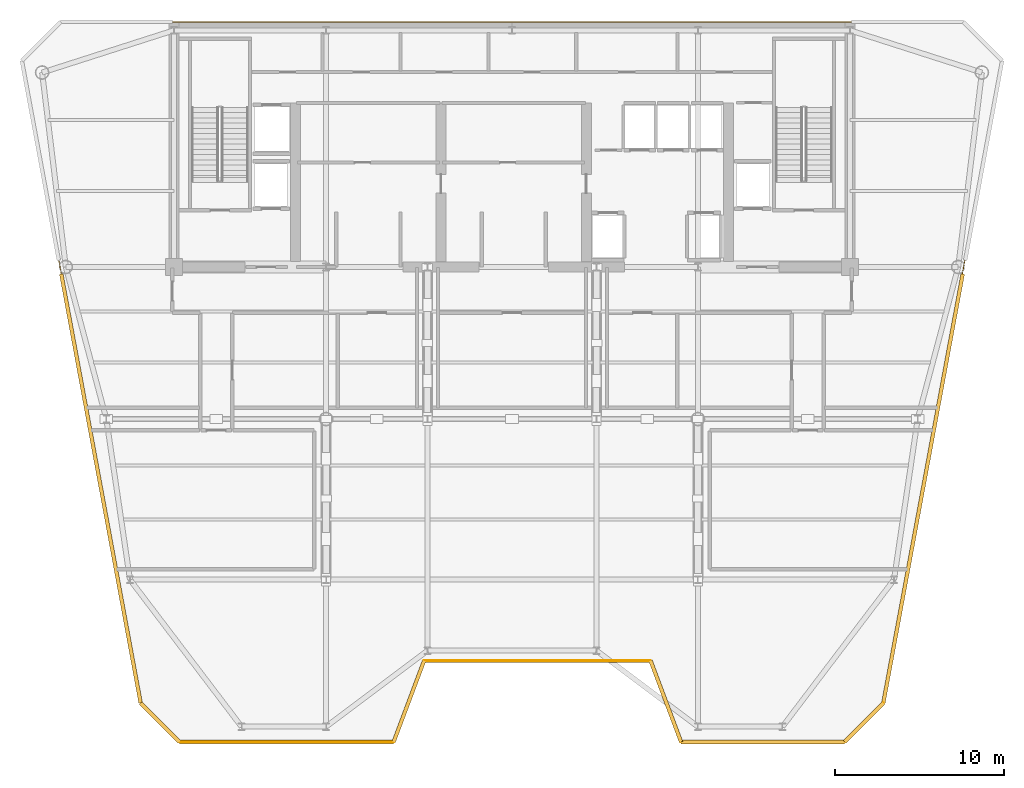
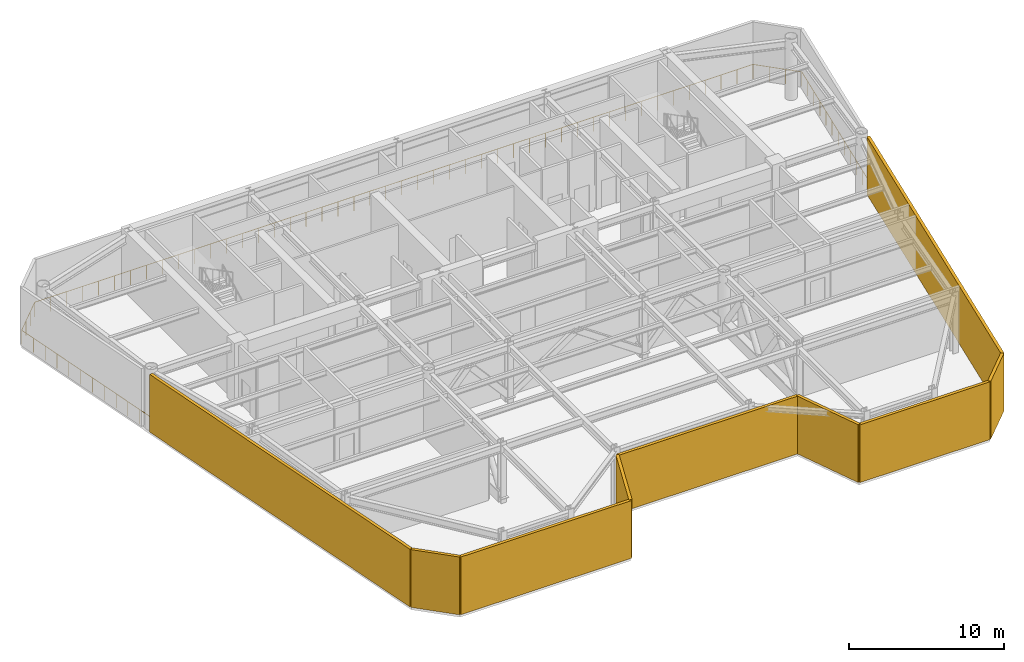
# One storey, part 7 of 9: 9 coverings, 2 railings.
"""IFC4 building model written with IfcOpenShell, lengths in metres."""

from ifc_helpers import new_model, si_unit, direction, frame, origin, origin_2d, place, context, subcontext, project, spatial, rectangle, circle, extrude, source, transform, mapped, material, layer, layer_set, type_object, element, save


model = new_model("IFC4")

# Units and contexts
model_context = context("Model", 3, precision=1e-05, world=origin(), true_north=direction((0.0, 1.0)))
body_context = subcontext(model_context, "Body", "Model", "MODEL_VIEW")
ifc_project = project(units=[si_unit("LENGTHUNIT", "METRE"), si_unit("AREAUNIT", "SQUARE_METRE"), si_unit("VOLUMEUNIT", "CUBIC_METRE"), si_unit("PLANEANGLEUNIT", "RADIAN"), si_unit("MASSUNIT", "GRAM", prefix="KILO")], contexts=[model_context])

# Site, building, storey
site_placement = place(None, origin())
site = spatial("IfcSite", under=ifc_project, at=site_placement, CompositionType="ELEMENT")
building_placement = place(site_placement, origin())
building = spatial("IfcBuilding", under=site, at=building_placement, Name="Vaeldorn Concourse Tower", CompositionType="ELEMENT")
storey_placement = place(building_placement, frame((0.0, 0.0, 218.39990234375)))
storey = spatial("IfcBuildingStorey", under=building, at=storey_placement, Name="L56", CompositionType="ELEMENT", Elevation=218.39990234375)

# Railings
ifc_material = material(Name="Anodised Bronze Aluminium", Category="aluminium")
railing_type = type_object("IfcRailingType", Name="RL-GUARD-1150", PredefinedType="GUARDRAIL", material=ifc_material)
railing_1_placement = place(storey_placement, frame((14.3291015625, 8.39990234375, 0.0)))
element("IfcRailing", 1, at=railing_1_placement, inside=storey, type_object=railing_type, Name="Refuge Band Perimeter Guardrail L56 South", PredefinedType="GUARDRAIL", context=body_context, shape_type="SweptSolid", body=[
    extrude(circle(Radius=0.02392578125, at=origin_2d()), frame((0.0, 0.0, 1.1259765625), z_axis=(1.0, 0.0, 0.0), x_axis=(0.0, 1.0, 0.0)), (0.0, 0.0, 1.0), 12.6708984375),
    extrude(circle(Radius=0.02392578125, at=origin_2d()), frame((12.6708984375, 0.0, 1.1259765625), z_axis=(0.351128660605, 0.936327220421, 0.0), x_axis=(-0.936327220421, 0.351128660605, 0.0)), (0.0, 0.0, 1.0), 5.12646484375),
    extrude(circle(Radius=0.02392578125, at=origin_2d()), frame((14.470947265625, 4.800048828125, 1.1259765625), z_axis=(1.0, 0.0, 0.0), x_axis=(0.0, 1.0, 0.0)), (0.0, 0.0, 1.0), 13.39990234375),
    extrude(circle(Radius=0.02392578125, at=origin_2d()), frame((27.870849609375, 4.800048828125, 1.1259765625), z_axis=(0.351128660605, -0.936327220421, 0.0), x_axis=(0.936327220421, 0.351128660605, 0.0)), (0.0, 0.0, 1.0), 5.12646484375),
    extrude(circle(Radius=0.02392578125, at=origin_2d()), frame((29.6708984375, 0.0, 1.1259765625), z_axis=(1.0, 0.0, 0.0), x_axis=(0.0, 1.0, 0.0)), (0.0, 0.0, 1.0), 9.6708984375),
    extrude(circle(Radius=0.02392578125, at=origin_2d()), frame((39.341796875, 0.0, 1.1259765625), z_axis=(0.707106781187, 0.707106781187, 0.0), x_axis=(-0.707106781187, 0.707106781187, 0.0)), (0.0, 0.0, 1.0), 3.252685546875),
    extrude(circle(Radius=0.02099609375, at=origin_2d()), origin(), (0.0, 0.0, 1.0), 1.101806640625),
    extrude(circle(Radius=0.02099609375, at=origin_2d()), frame((1.15185546875, 0.0, 0.0)), (0.0, 0.0, 1.0), 1.101806640625),
    extrude(circle(Radius=0.02099609375, at=origin_2d()), frame((2.3037109375, 0.0, 0.0)), (0.0, 0.0, 1.0), 1.101806640625),
    extrude(circle(Radius=0.02099609375, at=origin_2d()), frame((3.455810546875, 0.0, 0.0)), (0.0, 0.0, 1.0), 1.101806640625),
    extrude(circle(Radius=0.02099609375, at=origin_2d()), frame((4.607666015625, 0.0, 0.0)), (0.0, 0.0, 1.0), 1.101806640625),
    extrude(circle(Radius=0.02099609375, at=origin_2d()), frame((5.759521484375, 0.0, 0.0)), (0.0, 0.0, 1.0), 1.101806640625),
    extrude(circle(Radius=0.02099609375, at=origin_2d()), frame((6.911376953125, 0.0, 0.0)), (0.0, 0.0, 1.0), 1.101806640625),
    extrude(circle(Radius=0.02099609375, at=origin_2d()), frame((8.063232421875, 0.0, 0.0)), (0.0, 0.0, 1.0), 1.101806640625),
    extrude(circle(Radius=0.02099609375, at=origin_2d()), frame((9.215087890625, 0.0, 0.0)), (0.0, 0.0, 1.0), 1.101806640625),
    extrude(circle(Radius=0.02099609375, at=origin_2d()), frame((10.3671875, 0.0, 0.0)), (0.0, 0.0, 1.0), 1.101806640625),
    extrude(circle(Radius=0.02099609375, at=origin_2d()), frame((11.51904296875, 0.0, 0.0)), (0.0, 0.0, 1.0), 1.101806640625),
    extrude(circle(Radius=0.02099609375, at=origin_2d()), frame((12.6708984375, 0.0, 0.0)), (0.0, 0.0, 1.0), 1.101806640625),
    extrude(circle(Radius=0.02099609375, at=origin_2d()), frame((13.031005859375, 0.9599609375, 0.0)), (0.0, 0.0, 1.0), 1.101806640625),
    extrude(circle(Radius=0.02099609375, at=origin_2d()), frame((13.390869140625, 1.919921875, 0.0)), (0.0, 0.0, 1.0), 1.101806640625),
    extrude(circle(Radius=0.02099609375, at=origin_2d()), frame((13.7509765625, 2.880126953125, 0.0)), (0.0, 0.0, 1.0), 1.101806640625),
    extrude(circle(Radius=0.02099609375, at=origin_2d()), frame((14.11083984375, 3.840087890625, 0.0)), (0.0, 0.0, 1.0), 1.101806640625),
    extrude(circle(Radius=0.02099609375, at=origin_2d()), frame((14.470947265625, 4.800048828125, 0.0)), (0.0, 0.0, 1.0), 1.101806640625),
    extrude(circle(Radius=0.02099609375, at=origin_2d()), frame((15.587646484375, 4.800048828125, 0.0)), (0.0, 0.0, 1.0), 1.101806640625),
    extrude(circle(Radius=0.02099609375, at=origin_2d()), frame((16.704345703125, 4.800048828125, 0.0)), (0.0, 0.0, 1.0), 1.101806640625),
    extrude(circle(Radius=0.02099609375, at=origin_2d()), frame((17.82080078125, 4.800048828125, 0.0)), (0.0, 0.0, 1.0), 1.101806640625),
    extrude(circle(Radius=0.02099609375, at=origin_2d()), frame((18.9375, 4.800048828125, 0.0)), (0.0, 0.0, 1.0), 1.101806640625),
    extrude(circle(Radius=0.02099609375, at=origin_2d()), frame((20.05419921875, 4.800048828125, 0.0)), (0.0, 0.0, 1.0), 1.101806640625),
    extrude(circle(Radius=0.02099609375, at=origin_2d()), frame((21.1708984375, 4.800048828125, 0.0)), (0.0, 0.0, 1.0), 1.101806640625),
    extrude(circle(Radius=0.02099609375, at=origin_2d()), frame((22.28759765625, 4.800048828125, 0.0)), (0.0, 0.0, 1.0), 1.101806640625),
    extrude(circle(Radius=0.02099609375, at=origin_2d()), frame((23.404296875, 4.800048828125, 0.0)), (0.0, 0.0, 1.0), 1.101806640625),
    extrude(circle(Radius=0.02099609375, at=origin_2d()), frame((24.52099609375, 4.800048828125, 0.0)), (0.0, 0.0, 1.0), 1.101806640625),
    extrude(circle(Radius=0.02099609375, at=origin_2d()), frame((25.637451171875, 4.800048828125, 0.0)), (0.0, 0.0, 1.0), 1.101806640625),
    extrude(circle(Radius=0.02099609375, at=origin_2d()), frame((26.754150390625, 4.800048828125, 0.0)), (0.0, 0.0, 1.0), 1.101806640625),
    extrude(circle(Radius=0.02099609375, at=origin_2d()), frame((27.870849609375, 4.800048828125, 0.0)), (0.0, 0.0, 1.0), 1.101806640625),
    extrude(circle(Radius=0.02099609375, at=origin_2d()), frame((28.23095703125, 3.840087890625, 0.0)), (0.0, 0.0, 1.0), 1.101806640625),
    extrude(circle(Radius=0.02099609375, at=origin_2d()), frame((28.5908203125, 2.880126953125, 0.0)), (0.0, 0.0, 1.0), 1.101806640625),
    extrude(circle(Radius=0.02099609375, at=origin_2d()), frame((28.950927734375, 1.919921875, 0.0)), (0.0, 0.0, 1.0), 1.101806640625),
    extrude(circle(Radius=0.02099609375, at=origin_2d()), frame((29.310791015625, 0.9599609375, 0.0)), (0.0, 0.0, 1.0), 1.101806640625),
    extrude(circle(Radius=0.02099609375, at=origin_2d()), frame((29.6708984375, 0.0, 0.0)), (0.0, 0.0, 1.0), 1.101806640625),
    extrude(circle(Radius=0.02099609375, at=origin_2d()), frame((30.745361328125, 0.0, 0.0)), (0.0, 0.0, 1.0), 1.101806640625),
    extrude(circle(Radius=0.02099609375, at=origin_2d()), frame((31.820068359375, 0.0, 0.0)), (0.0, 0.0, 1.0), 1.101806640625),
    extrude(circle(Radius=0.02099609375, at=origin_2d()), frame((32.89453125, 0.0, 0.0)), (0.0, 0.0, 1.0), 1.101806640625),
    extrude(circle(Radius=0.02099609375, at=origin_2d()), frame((33.968994140625, 0.0, 0.0)), (0.0, 0.0, 1.0), 1.101806640625),
    extrude(circle(Radius=0.02099609375, at=origin_2d()), frame((35.043701171875, 0.0, 0.0)), (0.0, 0.0, 1.0), 1.101806640625),
    extrude(circle(Radius=0.02099609375, at=origin_2d()), frame((36.1181640625, 0.0, 0.0)), (0.0, 0.0, 1.0), 1.101806640625),
    extrude(circle(Radius=0.02099609375, at=origin_2d()), frame((37.192626953125, 0.0, 0.0)), (0.0, 0.0, 1.0), 1.101806640625),
    extrude(circle(Radius=0.02099609375, at=origin_2d()), frame((38.267333984375, 0.0, 0.0)), (0.0, 0.0, 1.0), 1.101806640625),
    extrude(circle(Radius=0.02099609375, at=origin_2d()), frame((39.341796875, 0.0, 0.0)), (0.0, 0.0, 1.0), 1.101806640625),
    extrude(circle(Radius=0.02099609375, at=origin_2d()), frame((40.1083984375, 0.7666015625, 0.0)), (0.0, 0.0, 1.0), 1.101806640625),
    extrude(circle(Radius=0.02099609375, at=origin_2d()), frame((40.875244140625, 1.533447265625, 0.0)), (0.0, 0.0, 1.0), 1.101806640625),
    extrude(circle(Radius=0.02099609375, at=origin_2d()), frame((41.641845703125, 2.300048828125, 0.0)), (0.0, 0.0, 1.0), 1.101806640625),
])
railing_2_placement = place(storey_placement, frame((55.910888671875, 10.699951171875, 0.0)))
element("IfcRailing", 2, at=railing_2_placement, inside=storey, type_object=railing_type, Name="Refuge Band Perimeter Guardrail L56 North", PredefinedType="GUARDRAIL", context=body_context, shape_type="SweptSolid", body=[
    extrude(circle(Radius=0.02392578125, at=origin_2d()), frame((0.0, 0.0, 1.1259765625), z_axis=(0.183391568601, 0.983039944542, 0.0), x_axis=(-0.983039944542, 0.183391568601, 0.0)), (0.0, 0.0, 1.0), 38.655517578125),
    extrude(circle(Radius=0.02392578125, at=origin_2d()), frame((7.089111328125, 38.0, 1.1259765625), z_axis=(-0.707106781187, 0.707106781187, 0.0), x_axis=(-0.707106781187, -0.707106781187, 0.0)), (0.0, 0.0, 1.0), 3.252685546875),
    extrude(circle(Radius=0.02392578125, at=origin_2d()), frame((4.7890625, 40.300048828125, 1.1259765625), z_axis=(-1.0, 0.0, 0.0), x_axis=(0.0, -1.0, 0.0)), (0.0, 0.0, 1.0), 53.39990234375),
    extrude(circle(Radius=0.02392578125, at=origin_2d()), frame((-48.61083984375, 40.300048828125, 1.1259765625), z_axis=(-0.707106781187, -0.707106781187, 0.0), x_axis=(0.707106781187, -0.707106781187, 0.0)), (0.0, 0.0, 1.0), 3.252685546875),
    extrude(circle(Radius=0.02392578125, at=origin_2d()), frame((-50.910888671875, 38.0, 1.1259765625), z_axis=(0.181889498509, -0.9833189769, 0.0), x_axis=(0.9833189769, 0.181889498509, 0.0)), (0.0, 0.0, 1.0), 38.64453125),
    extrude(circle(Radius=0.02392578125, at=origin_2d()), frame((-43.8818359375, 0.0, 1.1259765625), z_axis=(0.716124184147, -0.697972888356, 0.0), x_axis=(0.697972888356, 0.716124184147, 0.0)), (0.0, 0.0, 1.0), 3.29541015625),
    extrude(circle(Radius=0.02099609375, at=origin_2d()), origin(), (0.0, 0.0, 1.0), 1.101806640625),
    extrude(circle(Radius=0.02099609375, at=origin_2d()), frame((0.21484375, 1.151611328125, 0.0)), (0.0, 0.0, 1.0), 1.101806640625),
    extrude(circle(Radius=0.02099609375, at=origin_2d()), frame((0.4296875, 2.302978515625, 0.0)), (0.0, 0.0, 1.0), 1.101806640625),
    extrude(circle(Radius=0.02099609375, at=origin_2d()), frame((0.64453125, 3.45458984375, 0.0)), (0.0, 0.0, 1.0), 1.101806640625),
    extrude(circle(Radius=0.02099609375, at=origin_2d()), frame((0.859375, 4.60595703125, 0.0)), (0.0, 0.0, 1.0), 1.101806640625),
    extrude(circle(Radius=0.02099609375, at=origin_2d()), frame((1.07421875, 5.757568359375, 0.0)), (0.0, 0.0, 1.0), 1.101806640625),
    extrude(circle(Radius=0.02099609375, at=origin_2d()), frame((1.288818359375, 6.9091796875, 0.0)), (0.0, 0.0, 1.0), 1.101806640625),
    extrude(circle(Radius=0.02099609375, at=origin_2d()), frame((1.503662109375, 8.060546875, 0.0)), (0.0, 0.0, 1.0), 1.101806640625),
    extrude(circle(Radius=0.02099609375, at=origin_2d()), frame((1.718505859375, 9.212158203125, 0.0)), (0.0, 0.0, 1.0), 1.101806640625),
    extrude(circle(Radius=0.02099609375, at=origin_2d()), frame((1.933349609375, 10.363525390625, 0.0)), (0.0, 0.0, 1.0), 1.101806640625),
    extrude(circle(Radius=0.02099609375, at=origin_2d()), frame((2.148193359375, 11.51513671875, 0.0)), (0.0, 0.0, 1.0), 1.101806640625),
    extrude(circle(Radius=0.02099609375, at=origin_2d()), frame((2.363037109375, 12.666748046875, 0.0)), (0.0, 0.0, 1.0), 1.101806640625),
    extrude(circle(Radius=0.02099609375, at=origin_2d()), frame((2.577880859375, 13.818115234375, 0.0)), (0.0, 0.0, 1.0), 1.101806640625),
    extrude(circle(Radius=0.02099609375, at=origin_2d()), frame((2.792724609375, 14.9697265625, 0.0)), (0.0, 0.0, 1.0), 1.101806640625),
    extrude(circle(Radius=0.02099609375, at=origin_2d()), frame((3.007568359375, 16.12109375, 0.0)), (0.0, 0.0, 1.0), 1.101806640625),
    extrude(circle(Radius=0.02099609375, at=origin_2d()), frame((3.222412109375, 17.272705078125, 0.0)), (0.0, 0.0, 1.0), 1.101806640625),
    extrude(circle(Radius=0.02099609375, at=origin_2d()), frame((3.437255859375, 18.42431640625, 0.0)), (0.0, 0.0, 1.0), 1.101806640625),
    extrude(circle(Radius=0.02099609375, at=origin_2d()), frame((3.65185546875, 19.57568359375, 0.0)), (0.0, 0.0, 1.0), 1.101806640625),
    extrude(circle(Radius=0.02099609375, at=origin_2d()), frame((3.86669921875, 20.727294921875, 0.0)), (0.0, 0.0, 1.0), 1.101806640625),
    extrude(circle(Radius=0.02099609375, at=origin_2d()), frame((4.08154296875, 21.87890625, 0.0)), (0.0, 0.0, 1.0), 1.101806640625),
    extrude(circle(Radius=0.02099609375, at=origin_2d()), frame((4.29638671875, 23.0302734375, 0.0)), (0.0, 0.0, 1.0), 1.101806640625),
    extrude(circle(Radius=0.02099609375, at=origin_2d()), frame((4.51123046875, 24.181884765625, 0.0)), (0.0, 0.0, 1.0), 1.101806640625),
    extrude(circle(Radius=0.02099609375, at=origin_2d()), frame((4.72607421875, 25.333251953125, 0.0)), (0.0, 0.0, 1.0), 1.101806640625),
    extrude(circle(Radius=0.02099609375, at=origin_2d()), frame((4.94091796875, 26.48486328125, 0.0)), (0.0, 0.0, 1.0), 1.101806640625),
    extrude(circle(Radius=0.02099609375, at=origin_2d()), frame((5.15576171875, 27.636474609375, 0.0)), (0.0, 0.0, 1.0), 1.101806640625),
    extrude(circle(Radius=0.02099609375, at=origin_2d()), frame((5.37060546875, 28.787841796875, 0.0)), (0.0, 0.0, 1.0), 1.101806640625),
    extrude(circle(Radius=0.02099609375, at=origin_2d()), frame((5.58544921875, 29.939453125, 0.0)), (0.0, 0.0, 1.0), 1.101806640625),
    extrude(circle(Radius=0.02099609375, at=origin_2d()), frame((5.80029296875, 31.0908203125, 0.0)), (0.0, 0.0, 1.0), 1.101806640625),
    extrude(circle(Radius=0.02099609375, at=origin_2d()), frame((6.014892578125, 32.242431640625, 0.0)), (0.0, 0.0, 1.0), 1.101806640625),
    extrude(circle(Radius=0.02099609375, at=origin_2d()), frame((6.229736328125, 33.39404296875, 0.0)), (0.0, 0.0, 1.0), 1.101806640625),
    extrude(circle(Radius=0.02099609375, at=origin_2d()), frame((6.444580078125, 34.54541015625, 0.0)), (0.0, 0.0, 1.0), 1.101806640625),
    extrude(circle(Radius=0.02099609375, at=origin_2d()), frame((6.659423828125, 35.697021484375, 0.0)), (0.0, 0.0, 1.0), 1.101806640625),
    extrude(circle(Radius=0.02099609375, at=origin_2d()), frame((6.874267578125, 36.848388671875, 0.0)), (0.0, 0.0, 1.0), 1.101806640625),
    extrude(circle(Radius=0.02099609375, at=origin_2d()), frame((7.089111328125, 38.0, 0.0)), (0.0, 0.0, 1.0), 1.101806640625),
    extrude(circle(Radius=0.02099609375, at=origin_2d()), frame((6.322509765625, 38.7666015625, 0.0)), (0.0, 0.0, 1.0), 1.101806640625),
    extrude(circle(Radius=0.02099609375, at=origin_2d()), frame((5.5556640625, 39.533447265625, 0.0)), (0.0, 0.0, 1.0), 1.101806640625),
    extrude(circle(Radius=0.02099609375, at=origin_2d()), frame((4.7890625, 40.300048828125, 0.0)), (0.0, 0.0, 1.0), 1.101806640625),
    extrude(circle(Radius=0.02099609375, at=origin_2d()), frame((3.602294921875, 40.300048828125, 0.0)), (0.0, 0.0, 1.0), 1.101806640625),
    extrude(circle(Radius=0.02099609375, at=origin_2d()), frame((2.415771484375, 40.300048828125, 0.0)), (0.0, 0.0, 1.0), 1.101806640625),
    extrude(circle(Radius=0.02099609375, at=origin_2d()), frame((1.22900390625, 40.300048828125, 0.0)), (0.0, 0.0, 1.0), 1.101806640625),
    extrude(circle(Radius=0.02099609375, at=origin_2d()), frame((0.04248046875, 40.300048828125, 0.0)), (0.0, 0.0, 1.0), 1.101806640625),
    extrude(circle(Radius=0.02099609375, at=origin_2d()), frame((-1.144287109375, 40.300048828125, 0.0)), (0.0, 0.0, 1.0), 1.101806640625),
    extrude(circle(Radius=0.02099609375, at=origin_2d()), frame((-2.330810546875, 40.300048828125, 0.0)), (0.0, 0.0, 1.0), 1.101806640625),
    extrude(circle(Radius=0.02099609375, at=origin_2d()), frame((-3.517578125, 40.300048828125, 0.0)), (0.0, 0.0, 1.0), 1.101806640625),
    extrude(circle(Radius=0.02099609375, at=origin_2d()), frame((-4.704345703125, 40.300048828125, 0.0)), (0.0, 0.0, 1.0), 1.101806640625),
    extrude(circle(Radius=0.02099609375, at=origin_2d()), frame((-5.890869140625, 40.300048828125, 0.0)), (0.0, 0.0, 1.0), 1.101806640625),
    extrude(circle(Radius=0.02099609375, at=origin_2d()), frame((-7.07763671875, 40.300048828125, 0.0)), (0.0, 0.0, 1.0), 1.101806640625),
    extrude(circle(Radius=0.02099609375, at=origin_2d()), frame((-8.26416015625, 40.300048828125, 0.0)), (0.0, 0.0, 1.0), 1.101806640625),
    extrude(circle(Radius=0.02099609375, at=origin_2d()), frame((-9.450927734375, 40.300048828125, 0.0)), (0.0, 0.0, 1.0), 1.101806640625),
    extrude(circle(Radius=0.02099609375, at=origin_2d()), frame((-10.6376953125, 40.300048828125, 0.0)), (0.0, 0.0, 1.0), 1.101806640625),
    extrude(circle(Radius=0.02099609375, at=origin_2d()), frame((-11.82421875, 40.300048828125, 0.0)), (0.0, 0.0, 1.0), 1.101806640625),
    extrude(circle(Radius=0.02099609375, at=origin_2d()), frame((-13.010986328125, 40.300048828125, 0.0)), (0.0, 0.0, 1.0), 1.101806640625),
    extrude(circle(Radius=0.02099609375, at=origin_2d()), frame((-14.197509765625, 40.300048828125, 0.0)), (0.0, 0.0, 1.0), 1.101806640625),
    extrude(circle(Radius=0.02099609375, at=origin_2d()), frame((-15.38427734375, 40.300048828125, 0.0)), (0.0, 0.0, 1.0), 1.101806640625),
    extrude(circle(Radius=0.02099609375, at=origin_2d()), frame((-16.57080078125, 40.300048828125, 0.0)), (0.0, 0.0, 1.0), 1.101806640625),
    extrude(circle(Radius=0.02099609375, at=origin_2d()), frame((-17.757568359375, 40.300048828125, 0.0)), (0.0, 0.0, 1.0), 1.101806640625),
    extrude(circle(Radius=0.02099609375, at=origin_2d()), frame((-18.9443359375, 40.300048828125, 0.0)), (0.0, 0.0, 1.0), 1.101806640625),
    extrude(circle(Radius=0.02099609375, at=origin_2d()), frame((-20.130859375, 40.300048828125, 0.0)), (0.0, 0.0, 1.0), 1.101806640625),
    extrude(circle(Radius=0.02099609375, at=origin_2d()), frame((-21.317626953125, 40.300048828125, 0.0)), (0.0, 0.0, 1.0), 1.101806640625),
    extrude(circle(Radius=0.02099609375, at=origin_2d()), frame((-22.504150390625, 40.300048828125, 0.0)), (0.0, 0.0, 1.0), 1.101806640625),
    extrude(circle(Radius=0.02099609375, at=origin_2d()), frame((-23.69091796875, 40.300048828125, 0.0)), (0.0, 0.0, 1.0), 1.101806640625),
    extrude(circle(Radius=0.02099609375, at=origin_2d()), frame((-24.87744140625, 40.300048828125, 0.0)), (0.0, 0.0, 1.0), 1.101806640625),
    extrude(circle(Radius=0.02099609375, at=origin_2d()), frame((-26.064208984375, 40.300048828125, 0.0)), (0.0, 0.0, 1.0), 1.101806640625),
    extrude(circle(Radius=0.02099609375, at=origin_2d()), frame((-27.2509765625, 40.300048828125, 0.0)), (0.0, 0.0, 1.0), 1.101806640625),
    extrude(circle(Radius=0.02099609375, at=origin_2d()), frame((-28.4375, 40.300048828125, 0.0)), (0.0, 0.0, 1.0), 1.101806640625),
    extrude(circle(Radius=0.02099609375, at=origin_2d()), frame((-29.624267578125, 40.300048828125, 0.0)), (0.0, 0.0, 1.0), 1.101806640625),
    extrude(circle(Radius=0.02099609375, at=origin_2d()), frame((-30.810791015625, 40.300048828125, 0.0)), (0.0, 0.0, 1.0), 1.101806640625),
    extrude(circle(Radius=0.02099609375, at=origin_2d()), frame((-31.99755859375, 40.300048828125, 0.0)), (0.0, 0.0, 1.0), 1.101806640625),
    extrude(circle(Radius=0.02099609375, at=origin_2d()), frame((-33.18408203125, 40.300048828125, 0.0)), (0.0, 0.0, 1.0), 1.101806640625),
    extrude(circle(Radius=0.02099609375, at=origin_2d()), frame((-34.370849609375, 40.300048828125, 0.0)), (0.0, 0.0, 1.0), 1.101806640625),
    extrude(circle(Radius=0.02099609375, at=origin_2d()), frame((-35.5576171875, 40.300048828125, 0.0)), (0.0, 0.0, 1.0), 1.101806640625),
    extrude(circle(Radius=0.02099609375, at=origin_2d()), frame((-36.744140625, 40.300048828125, 0.0)), (0.0, 0.0, 1.0), 1.101806640625),
    extrude(circle(Radius=0.02099609375, at=origin_2d()), frame((-37.930908203125, 40.300048828125, 0.0)), (0.0, 0.0, 1.0), 1.101806640625),
    extrude(circle(Radius=0.02099609375, at=origin_2d()), frame((-39.117431640625, 40.300048828125, 0.0)), (0.0, 0.0, 1.0), 1.101806640625),
    extrude(circle(Radius=0.02099609375, at=origin_2d()), frame((-40.30419921875, 40.300048828125, 0.0)), (0.0, 0.0, 1.0), 1.101806640625),
    extrude(circle(Radius=0.02099609375, at=origin_2d()), frame((-41.490966796875, 40.300048828125, 0.0)), (0.0, 0.0, 1.0), 1.101806640625),
    extrude(circle(Radius=0.02099609375, at=origin_2d()), frame((-42.677490234375, 40.300048828125, 0.0)), (0.0, 0.0, 1.0), 1.101806640625),
    extrude(circle(Radius=0.02099609375, at=origin_2d()), frame((-43.8642578125, 40.300048828125, 0.0)), (0.0, 0.0, 1.0), 1.101806640625),
    extrude(circle(Radius=0.02099609375, at=origin_2d()), frame((-45.05078125, 40.300048828125, 0.0)), (0.0, 0.0, 1.0), 1.101806640625),
    extrude(circle(Radius=0.02099609375, at=origin_2d()), frame((-46.237548828125, 40.300048828125, 0.0)), (0.0, 0.0, 1.0), 1.101806640625),
    extrude(circle(Radius=0.02099609375, at=origin_2d()), frame((-47.424072265625, 40.300048828125, 0.0)), (0.0, 0.0, 1.0), 1.101806640625),
    extrude(circle(Radius=0.02099609375, at=origin_2d()), frame((-48.61083984375, 40.300048828125, 0.0)), (0.0, 0.0, 1.0), 1.101806640625),
    extrude(circle(Radius=0.02099609375, at=origin_2d()), frame((-49.37744140625, 39.533447265625, 0.0)), (0.0, 0.0, 1.0), 1.101806640625),
    extrude(circle(Radius=0.02099609375, at=origin_2d()), frame((-50.144287109375, 38.7666015625, 0.0)), (0.0, 0.0, 1.0), 1.101806640625),
    extrude(circle(Radius=0.02099609375, at=origin_2d()), frame((-50.910888671875, 38.0, 0.0)), (0.0, 0.0, 1.0), 1.101806640625),
    extrude(circle(Radius=0.02099609375, at=origin_2d()), frame((-50.697998046875, 36.848388671875, 0.0)), (0.0, 0.0, 1.0), 1.101806640625),
    extrude(circle(Radius=0.02099609375, at=origin_2d()), frame((-50.48486328125, 35.697021484375, 0.0)), (0.0, 0.0, 1.0), 1.101806640625),
    extrude(circle(Radius=0.02099609375, at=origin_2d()), frame((-50.27197265625, 34.54541015625, 0.0)), (0.0, 0.0, 1.0), 1.101806640625),
    extrude(circle(Radius=0.02099609375, at=origin_2d()), frame((-50.058837890625, 33.39404296875, 0.0)), (0.0, 0.0, 1.0), 1.101806640625),
    extrude(circle(Radius=0.02099609375, at=origin_2d()), frame((-49.845947265625, 32.242431640625, 0.0)), (0.0, 0.0, 1.0), 1.101806640625),
    extrude(circle(Radius=0.02099609375, at=origin_2d()), frame((-49.6328125, 31.0908203125, 0.0)), (0.0, 0.0, 1.0), 1.101806640625),
    extrude(circle(Radius=0.02099609375, at=origin_2d()), frame((-49.419921875, 29.939453125, 0.0)), (0.0, 0.0, 1.0), 1.101806640625),
    extrude(circle(Radius=0.02099609375, at=origin_2d()), frame((-49.206787109375, 28.787841796875, 0.0)), (0.0, 0.0, 1.0), 1.101806640625),
    extrude(circle(Radius=0.02099609375, at=origin_2d()), frame((-48.993896484375, 27.636474609375, 0.0)), (0.0, 0.0, 1.0), 1.101806640625),
    extrude(circle(Radius=0.02099609375, at=origin_2d()), frame((-48.78076171875, 26.48486328125, 0.0)), (0.0, 0.0, 1.0), 1.101806640625),
    extrude(circle(Radius=0.02099609375, at=origin_2d()), frame((-48.56787109375, 25.333251953125, 0.0)), (0.0, 0.0, 1.0), 1.101806640625),
    extrude(circle(Radius=0.02099609375, at=origin_2d()), frame((-48.35498046875, 24.181884765625, 0.0)), (0.0, 0.0, 1.0), 1.101806640625),
    extrude(circle(Radius=0.02099609375, at=origin_2d()), frame((-48.141845703125, 23.0302734375, 0.0)), (0.0, 0.0, 1.0), 1.101806640625),
    extrude(circle(Radius=0.02099609375, at=origin_2d()), frame((-47.928955078125, 21.87890625, 0.0)), (0.0, 0.0, 1.0), 1.101806640625),
    extrude(circle(Radius=0.02099609375, at=origin_2d()), frame((-47.7158203125, 20.727294921875, 0.0)), (0.0, 0.0, 1.0), 1.101806640625),
    extrude(circle(Radius=0.02099609375, at=origin_2d()), frame((-47.5029296875, 19.57568359375, 0.0)), (0.0, 0.0, 1.0), 1.101806640625),
    extrude(circle(Radius=0.02099609375, at=origin_2d()), frame((-47.289794921875, 18.42431640625, 0.0)), (0.0, 0.0, 1.0), 1.101806640625),
    extrude(circle(Radius=0.02099609375, at=origin_2d()), frame((-47.076904296875, 17.272705078125, 0.0)), (0.0, 0.0, 1.0), 1.101806640625),
    extrude(circle(Radius=0.02099609375, at=origin_2d()), frame((-46.86376953125, 16.12109375, 0.0)), (0.0, 0.0, 1.0), 1.101806640625),
    extrude(circle(Radius=0.02099609375, at=origin_2d()), frame((-46.65087890625, 14.9697265625, 0.0)), (0.0, 0.0, 1.0), 1.101806640625),
    extrude(circle(Radius=0.02099609375, at=origin_2d()), frame((-46.437744140625, 13.818115234375, 0.0)), (0.0, 0.0, 1.0), 1.101806640625),
    extrude(circle(Radius=0.02099609375, at=origin_2d()), frame((-46.224853515625, 12.666748046875, 0.0)), (0.0, 0.0, 1.0), 1.101806640625),
    extrude(circle(Radius=0.02099609375, at=origin_2d()), frame((-46.011962890625, 11.51513671875, 0.0)), (0.0, 0.0, 1.0), 1.101806640625),
    extrude(circle(Radius=0.02099609375, at=origin_2d()), frame((-45.798828125, 10.363525390625, 0.0)), (0.0, 0.0, 1.0), 1.101806640625),
    extrude(circle(Radius=0.02099609375, at=origin_2d()), frame((-45.5859375, 9.212158203125, 0.0)), (0.0, 0.0, 1.0), 1.101806640625),
    extrude(circle(Radius=0.02099609375, at=origin_2d()), frame((-45.372802734375, 8.060546875, 0.0)), (0.0, 0.0, 1.0), 1.101806640625),
    extrude(circle(Radius=0.02099609375, at=origin_2d()), frame((-45.159912109375, 6.9091796875, 0.0)), (0.0, 0.0, 1.0), 1.101806640625),
    extrude(circle(Radius=0.02099609375, at=origin_2d()), frame((-44.94677734375, 5.757568359375, 0.0)), (0.0, 0.0, 1.0), 1.101806640625),
    extrude(circle(Radius=0.02099609375, at=origin_2d()), frame((-44.73388671875, 4.60595703125, 0.0)), (0.0, 0.0, 1.0), 1.101806640625),
    extrude(circle(Radius=0.02099609375, at=origin_2d()), frame((-44.520751953125, 3.45458984375, 0.0)), (0.0, 0.0, 1.0), 1.101806640625),
    extrude(circle(Radius=0.02099609375, at=origin_2d()), frame((-44.307861328125, 2.302978515625, 0.0)), (0.0, 0.0, 1.0), 1.101806640625),
    extrude(circle(Radius=0.02099609375, at=origin_2d()), frame((-44.0947265625, 1.151611328125, 0.0)), (0.0, 0.0, 1.0), 1.101806640625),
    extrude(circle(Radius=0.02099609375, at=origin_2d()), frame((-43.8818359375, 0.0, 0.0)), (0.0, 0.0, 1.0), 1.101806640625),
    extrude(circle(Radius=0.02099609375, at=origin_2d()), frame((-43.09521484375, -0.7666015625, 0.0)), (0.0, 0.0, 1.0), 1.101806640625),
    extrude(circle(Radius=0.02099609375, at=origin_2d()), frame((-42.30859375, -1.533447265625, 0.0)), (0.0, 0.0, 1.0), 1.101806640625),
    extrude(circle(Radius=0.02099609375, at=origin_2d()), frame((-41.52197265625, -2.300048828125, 0.0)), (0.0, 0.0, 1.0), 1.101806640625),
])

# Coverings
ifc_layer = layer(ifc_material, 1.60009765625)
ifc_layer_set = layer_set([ifc_layer], Name="Anodised Bronze Aluminium")
covering_type = type_object("IfcCoveringType", Name="SD-BRONZE-LOUVRE", PredefinedType="USERDEFINED", material=ifc_layer_set)
shared_shape_1 = source(origin(), body_context, "Body", "SweptSolid", [
    extrude(rectangle(XDim=5.12646484375, YDim=0.219970703125, at=origin_2d()), origin(), (0.0, 0.0, 1.0), 4.5400390625),
])
for number, where, z_axis, x_axis, name in (
    (3, (27.89990234375, 10.800048828125, 0.0), (0.0, 0.0, 1.0), (0.351122702609, 0.936329454686, 0.0), "Refuge Band Bronze Acoustic Louvre L56-02.1"),
    (4, (43.10009765625, 10.800048828125, 0.0), (0.0, 0.0, 1.0), (0.351122702609, -0.936329454686, 0.0), "Refuge Band Bronze Acoustic Louvre L56-04.1"),
):
    element("IfcCovering", number, at=place(storey_placement, frame(where, z_axis=z_axis, x_axis=x_axis)), inside=storey, type_object=covering_type, Name=name, ObjectType="LOUVRE", PredefinedType="USERDEFINED", context=body_context, shape_type="MappedRepresentation", body=[
        mapped(shared_shape_1, transform((0.0, 0.0, 0.0), scale=1.0)),
    ])
shared_shape_2 = source(origin(), body_context, "Body", "SweptSolid", [
    extrude(rectangle(XDim=13.39990234375, YDim=0.219970703125, at=origin_2d()), origin(), (0.0, 0.0, 1.0), 4.5400390625),
])
covering_1_placement = place(storey_placement, frame((35.5, 13.199951171875, 0.0), z_axis=(0.0, 0.0, 1.0), x_axis=(1.0, 0.0, 0.0)))
element("IfcCovering", 5, at=covering_1_placement, inside=storey, type_object=covering_type, Name="Refuge Band Bronze Acoustic Louvre L56-03.1", ObjectType="LOUVRE", PredefinedType="USERDEFINED", context=body_context, shape_type="MappedRepresentation", body=[
    mapped(shared_shape_2, transform((0.0, 0.0, 0.0), scale=1.0)),
])
shared_shape_3 = source(origin(), body_context, "Body", "SweptSolid", [
    extrude(rectangle(XDim=3.252685546875, YDim=0.219970703125, at=origin_2d()), origin(), (0.0, 0.0, 1.0), 4.5400390625),
])
for number, where, z_axis, x_axis, name in (
    (6, (54.821044921875, 9.550048828125, 0.0), (0.0, 0.0, 1.0), (0.707106781187, 0.707106781187, 0.0), "Refuge Band Bronze Acoustic Louvre L56-06.1"),
    (7, (13.178955078125, 9.550048828125, 0.0), (0.0, 0.0, 1.0), (0.707106781187, -0.707106781187, 0.0), "Refuge Band Bronze Acoustic Louvre L56-12.1"),
):
    element("IfcCovering", number, at=place(storey_placement, frame(where, z_axis=z_axis, x_axis=x_axis)), inside=storey, type_object=covering_type, Name=name, ObjectType="LOUVRE", PredefinedType="USERDEFINED", context=body_context, shape_type="MappedRepresentation", body=[
        mapped(shared_shape_3, transform((0.0, 0.0, 0.0), scale=1.0)),
    ])
shared_shape_4 = source(origin(), body_context, "Body", "SweptSolid", [
    extrude(rectangle(XDim=12.6708984375, YDim=0.219970703125, at=origin_2d()), origin(), (0.0, 0.0, 1.0), 4.5400390625),
])
covering_2_placement = place(storey_placement, frame((20.66455078125, 8.39990234375, 0.0), z_axis=(0.0, 0.0, 1.0), x_axis=(1.0, 0.0, 0.0)))
element("IfcCovering", 8, at=covering_2_placement, inside=storey, type_object=covering_type, Name="Refuge Band Bronze Acoustic Louvre L56-01.1", ObjectType="LOUVRE", PredefinedType="USERDEFINED", context=body_context, shape_type="MappedRepresentation", body=[
    mapped(shared_shape_4, transform((0.0, 0.0, 0.0), scale=1.0)),
])
shared_shape_5 = source(origin(), body_context, "Body", "SweptSolid", [
    extrude(rectangle(XDim=9.6708984375, YDim=0.219970703125, at=origin_2d()), origin(), (0.0, 0.0, 1.0), 4.5400390625),
])
covering_3_placement = place(storey_placement, frame((48.83544921875, 8.39990234375, 0.0), z_axis=(0.0, 0.0, 1.0), x_axis=(1.0, 0.0, 0.0)))
element("IfcCovering", 9, at=covering_3_placement, inside=storey, type_object=covering_type, Name="Refuge Band Bronze Acoustic Louvre L56-05.1", ObjectType="LOUVRE", PredefinedType="USERDEFINED", context=body_context, shape_type="MappedRepresentation", body=[
    mapped(shared_shape_5, transform((0.0, 0.0, 0.0), scale=1.0)),
])
shared_shape_6 = source(origin(), body_context, "Body", "SweptSolid", [
    extrude(rectangle(XDim=25.814208984375, YDim=0.219970703125, at=origin_2d()), origin(), (0.0, 0.0, 1.0), 4.5400390625),
])
for number, where, z_axis, x_axis, name in (
    (10, (58.318603515625, 23.391845703125, 0.0), (0.0, 0.0, 1.0), (0.181892293686, 0.983318459858, 0.0), "Refuge Band Bronze Acoustic Louvre L56-07.1"),
    (11, (9.681396484375, 23.391845703125, 0.0), (0.0, 0.0, 1.0), (0.181892293686, -0.983318459858, 0.0), "Refuge Band Bronze Acoustic Louvre L56-11.2"),
):
    element("IfcCovering", number, at=place(storey_placement, frame(where, z_axis=z_axis, x_axis=x_axis)), inside=storey, type_object=covering_type, Name=name, ObjectType="LOUVRE", PredefinedType="USERDEFINED", context=body_context, shape_type="MappedRepresentation", body=[
        mapped(shared_shape_6, transform((0.0, 0.0, 0.0), scale=1.0)),
    ])

save(model, "model.ifc")
